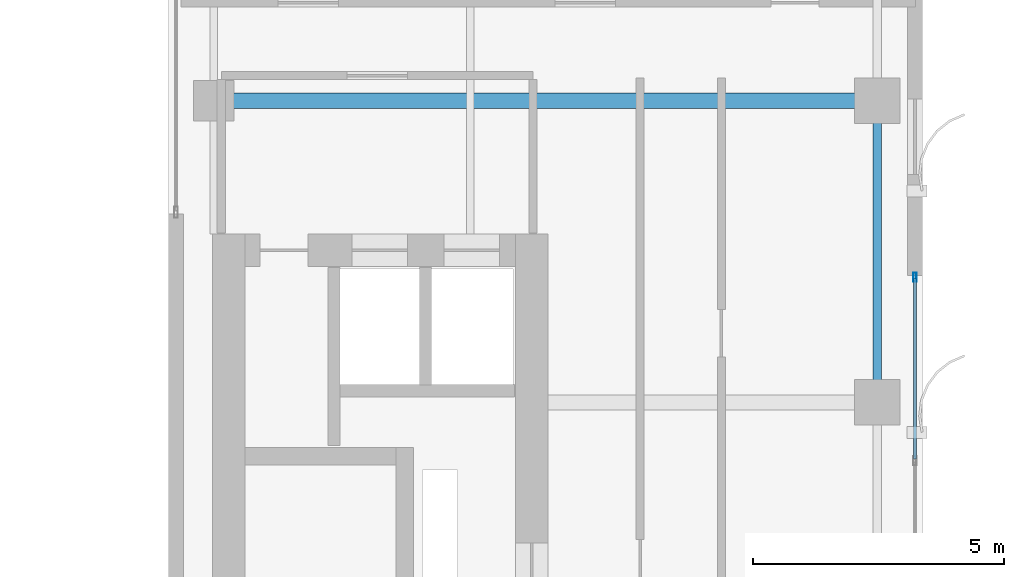
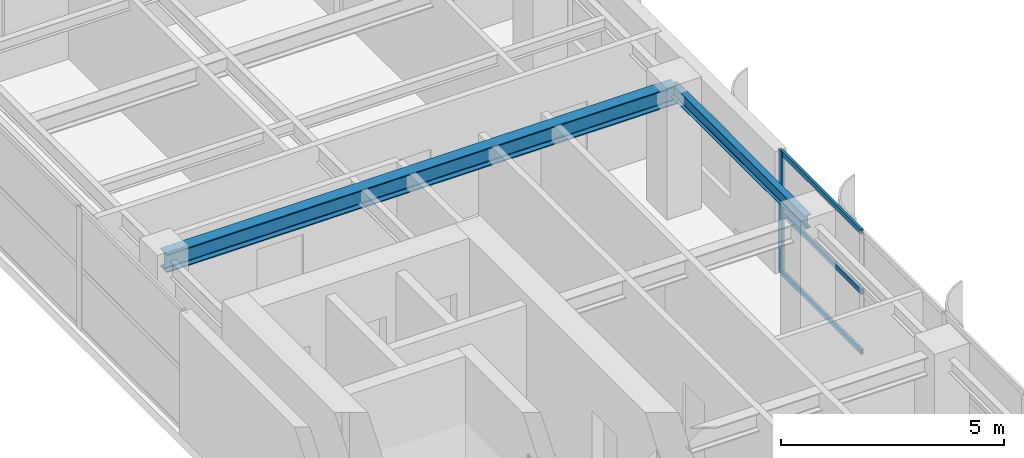
# One storey, part 12 of 22: 4 members, 2 beams, 1 element without a shape of its own.
"""IFC4 building model written with IfcOpenShell, lengths in metres."""

from ifc_helpers import new_model, si_unit, direction, frame, origin, origin_2d, place, context, subcontext, project, spatial, hollow_rectangle, i_section, extrude, source, transform, mapped, material, layer, layer_set, material_profile, profile_set, type_object, element, aggregate, save


model = new_model("IFC4")

# Units and contexts
model_context = context("Model", 3, precision=1e-05, world=origin(), true_north=direction((0.0, 1.0)))
body_context = subcontext(model_context, "Body", "Model", "MODEL_VIEW")
ifc_project = project(units=[si_unit("LENGTHUNIT", "METRE"), si_unit("AREAUNIT", "SQUARE_METRE"), si_unit("VOLUMEUNIT", "CUBIC_METRE"), si_unit("PLANEANGLEUNIT", "RADIAN"), si_unit("MASSUNIT", "GRAM", prefix="KILO")], contexts=[model_context])

# Site, building, storey
site_placement = place(None, origin())
site = spatial("IfcSite", under=ifc_project, at=site_placement, CompositionType="ELEMENT")
building_placement = place(site_placement, origin())
building = spatial("IfcBuilding", under=site, at=building_placement, Name="Khoralis Quay Care Tower", CompositionType="ELEMENT")
storey_placement = place(building_placement, frame((0.0, 0.0, 202.5)))
storey = spatial("IfcBuildingStorey", under=building, at=storey_placement, Name="L53", CompositionType="ELEMENT", Elevation=202.5)

# Beams
ifc_material_1 = material(Name="Steel S355", Category="steel")
ifc_material_profile_1 = material_profile(ifc_material_1, i_section(OverallWidth=0.169921875, OverallDepth=0.360107421875, WebThickness=0.008056640625, FlangeThickness=0.0126953125, FilletRadius=0.01806640625, at=origin_2d()), Name="Steel S355")
ifc_profile_set_1 = profile_set([ifc_material_profile_1], Name="Steel S355")
beam_type_1 = type_object("IfcBeamType", Name="BM-IPE360", PredefinedType="SPANDREL", material=ifc_profile_set_1)
shared_shape_1 = source(origin(), body_context, "Body", "SweptSolid", [
    extrude(i_section(OverallWidth=0.169921875, OverallDepth=0.360107421875, WebThickness=0.008056640625, FlangeThickness=0.0126953125, FilletRadius=0.01806640625, at=origin_2d()), origin(), (0.0, 0.0, 1.0), 6.0),
])
beam_1_placement = place(storey_placement, frame((44.10009765625, 24.0, 3.159912109375), z_axis=(0.0, 1.0, 0.0), x_axis=(-1.0, 0.0, 0.0)))
element("IfcBeam", 1, at=beam_1_placement, inside=storey, type_object=beam_type_1, Name="BM-TSP-L53-13", PredefinedType="SPANDREL", context=body_context, shape_type="MappedRepresentation", body=[
    mapped(shared_shape_1, transform((0.0, 0.0, 0.0), scale=1.0)),
])
ifc_material_profile_2 = material_profile(ifc_material_1, i_section(OverallWidth=0.300048828125, OverallDepth=0.5, WebThickness=0.014404296875, FlangeThickness=0.028076171875, FilletRadius=0.027099609375, at=origin_2d()), Name="Steel S355")
ifc_profile_set_2 = profile_set([ifc_material_profile_2], Name="Steel S355")
beam_type_2 = type_object("IfcBeamType", Name="BM-HEB500", PredefinedType="BEAM", material=ifc_profile_set_2)
shared_shape_2 = source(origin(), body_context, "Body", "SweptSolid", [
    extrude(i_section(OverallWidth=0.300048828125, OverallDepth=0.5, WebThickness=0.014404296875, FlangeThickness=0.028076171875, FilletRadius=0.027099609375, at=origin_2d()), origin(), (0.0, 0.0, 1.0), 13.2001953125),
])
beam_2_placement = place(storey_placement, frame((30.89990234375, 30.0, 3.090087890625), z_axis=(1.0, 0.0, 0.0), x_axis=(0.0, 1.0, 0.0)))
element("IfcBeam", 2, at=beam_2_placement, inside=storey, type_object=beam_type_2, Name="BM-TGXE-L53-300", PredefinedType="BEAM", context=body_context, shape_type="MappedRepresentation", body=[
    mapped(shared_shape_2, transform((0.0, 0.0, 0.0), scale=1.0)),
])

# Curtain wall, members
ifc_material_2 = material(Name="Pale anodised aluminium", Category="aluminium")
ifc_layer = layer(ifc_material_2, 0.159912109375)
ifc_layer_set = layer_set([ifc_layer], Name="Pale anodised aluminium")
curtain_wall_type = type_object("IfcCurtainWallType", Name="CW-SYS-Z3", PredefinedType="NOTDEFINED", material=ifc_layer_set)
curtain_wall_placement = place(storey_placement, origin())
curtain_wall = element("IfcCurtainWall", 3, at=curtain_wall_placement, inside=storey, type_object=curtain_wall_type, Name="L53 Unitised Curtain Wall CW-L53-P2-E5", PredefinedType="NOTDEFINED")
ifc_material_profile_3 = material_profile(ifc_material_2, hollow_rectangle(XDim=0.06494140625, YDim=0.179931640625, WallThickness=0.00390625, at=origin_2d()), Name="Pale anodised aluminium")
ifc_profile_set_3 = profile_set([ifc_material_profile_3], Name="Pale anodised aluminium")
member_type_1 = type_object("IfcMemberType", Name="CW-MUL-180", PredefinedType="MULLION", material=ifc_profile_set_3)
shared_shape_3 = source(origin(), body_context, "Body", "SweptSolid", [
    extrude(hollow_rectangle(XDim=0.06494140625, YDim=0.179931640625, WallThickness=0.00390625, at=origin_2d()), origin(), (0.0, 0.0, 1.0), 3.340087890625),
])
member_1_placement = place(storey_placement, frame((44.85009765625, 26.489990234375, 0.0), z_axis=(0.0, 0.0, 1.0), x_axis=(-1.0, 0.0, 0.0)))
member_1 = element("IfcMember", 4, at=member_1_placement, type_object=member_type_1, Name="CW3 mullion 4", PredefinedType="MULLION", context=body_context, shape_type="MappedRepresentation", body=[
    mapped(shared_shape_3, transform((0.0, 0.0, 0.0), scale=1.0)),
])
ifc_material_profile_4 = material_profile(ifc_material_2, hollow_rectangle(XDim=0.06005859375, YDim=0.139892578125, WallThickness=0.00390625, at=origin_2d()), Name="Pale anodised aluminium")
ifc_profile_set_4 = profile_set([ifc_material_profile_4], Name="Pale anodised aluminium")
member_type_2 = type_object("IfcMemberType", Name="CW-TRN-140", PredefinedType="USERDEFINED", material=ifc_profile_set_4)
shared_shape_4 = source(origin(), body_context, "Body", "SweptSolid", [
    extrude(hollow_rectangle(XDim=0.06005859375, YDim=0.139892578125, WallThickness=0.00390625, at=origin_2d()), origin(), (0.0, 0.0, 1.0), 3.58984375),
])
member_2_placement = place(storey_placement, frame((44.85009765625, 22.8701171875, 0.030029296875), z_axis=(0.0, 1.0, 0.0), x_axis=(-1.0, 0.0, 0.0)))
member_2 = element("IfcMember", 5, at=member_2_placement, type_object=member_type_2, Name="CW3 transom 3.1", ObjectType="TRANSOM", PredefinedType="USERDEFINED", context=body_context, shape_type="MappedRepresentation", body=[
    mapped(shared_shape_4, transform((0.0, 0.0, 0.0), scale=1.0)),
])
member_3_placement = place(storey_placement, frame((44.85009765625, 22.8701171875, 1.669921875), z_axis=(0.0, 1.0, 0.0), x_axis=(-1.0, 0.0, 0.0)))
member_3 = element("IfcMember", 6, at=member_3_placement, type_object=member_type_2, Name="CW3 transom 3.2", ObjectType="TRANSOM", PredefinedType="USERDEFINED", context=body_context, shape_type="MappedRepresentation", body=[
    mapped(shared_shape_4, transform((0.0, 0.0, 0.0), scale=1.0)),
])
member_4_placement = place(storey_placement, frame((44.85009765625, 22.8701171875, 3.31005859375), z_axis=(0.0, 1.0, 0.0), x_axis=(-1.0, 0.0, 0.0)))
member_4 = element("IfcMember", 7, at=member_4_placement, type_object=member_type_2, Name="CW3 transom 3.3", ObjectType="TRANSOM", PredefinedType="USERDEFINED", context=body_context, shape_type="MappedRepresentation", body=[
    mapped(shared_shape_4, transform((0.0, 0.0, 0.0), scale=1.0)),
])
aggregate(curtain_wall, [member_1, member_2, member_3, member_4])

save(model, "model.ifc")
